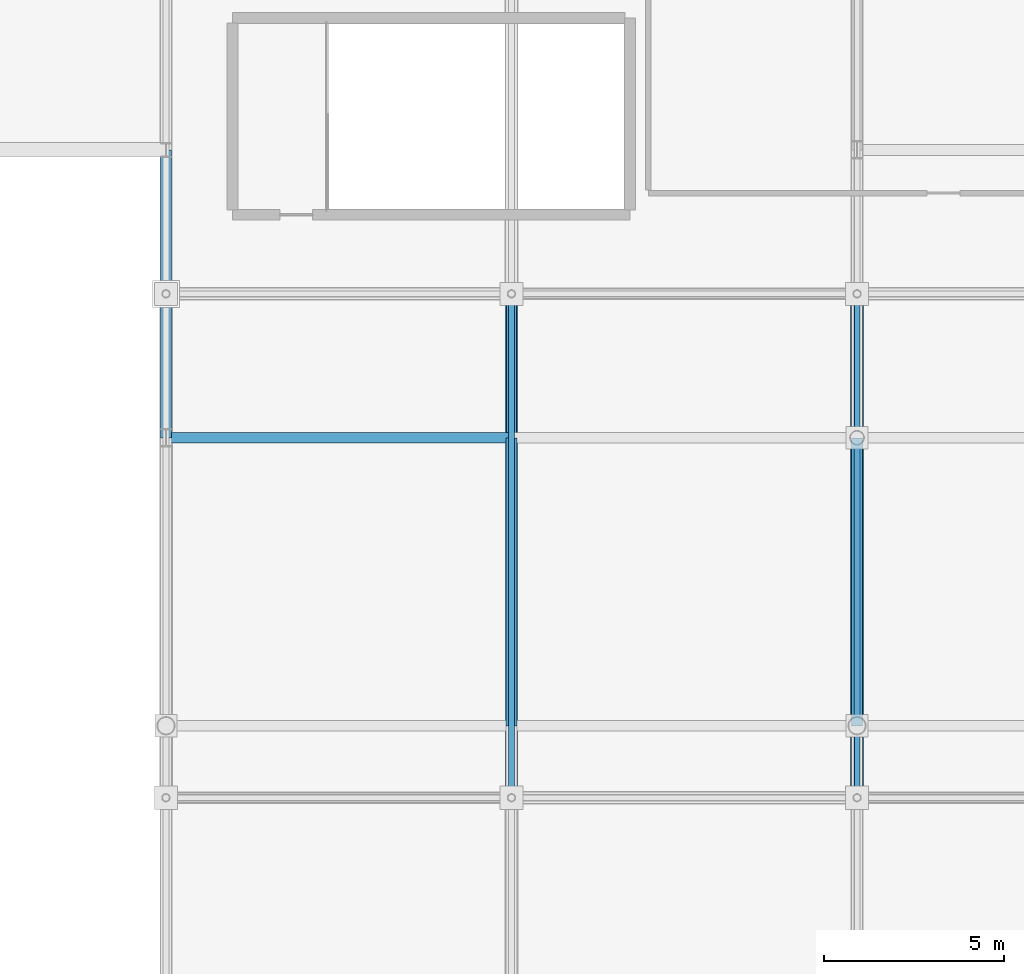
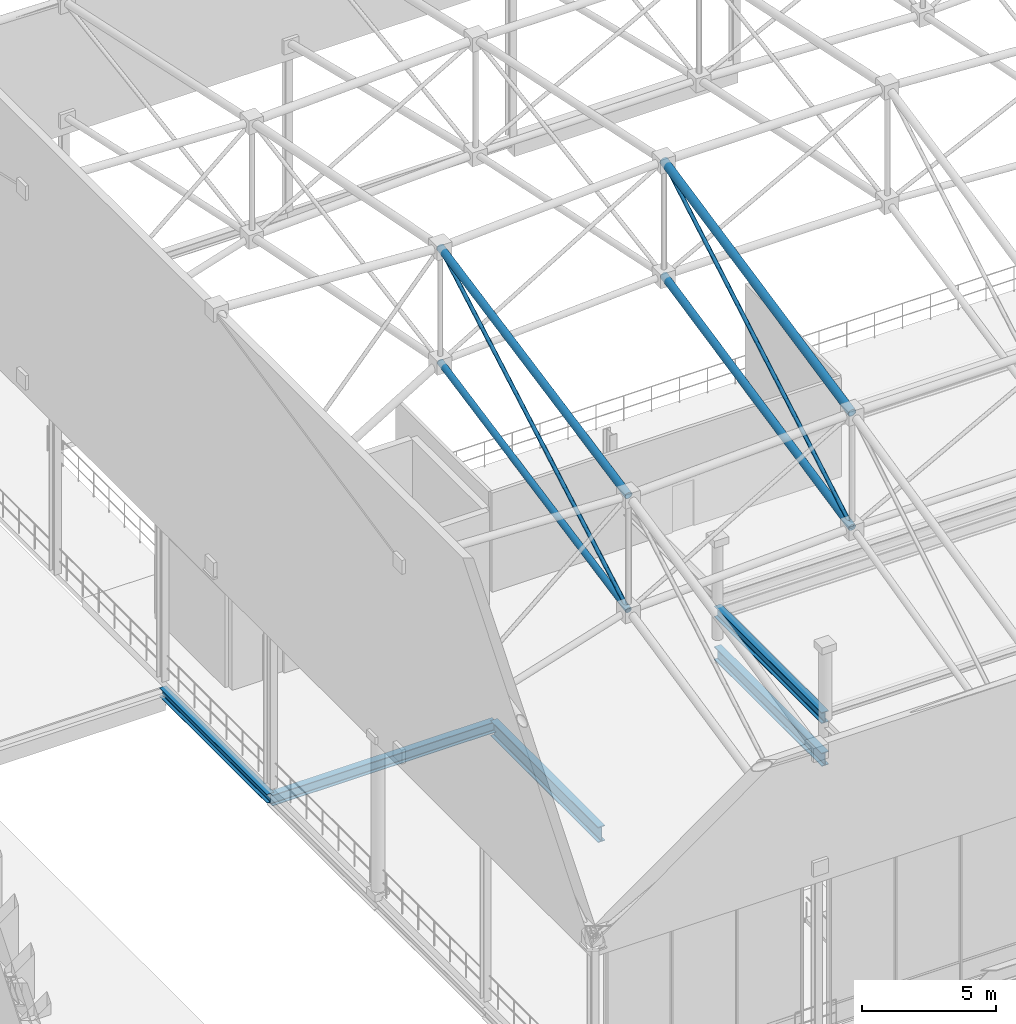
# One storey, part 102 of 193: 6 members, 5 beams.
"""IFC4 building model written with IfcOpenShell, lengths in metres."""

from ifc_helpers import new_model, si_unit, direction, frame, origin, origin_2d, place, context, subcontext, project, spatial, hollow_circle, i_section, extrude, material, material_profile, profile_set, type_object, element, save


model = new_model("IFC4")

# Units and contexts
model_context = context("Model", 3, precision=1e-05, world=origin(), true_north=direction((0.0, 1.0)))
body_context = subcontext(model_context, "Body", "Model", "MODEL_VIEW")
ifc_project = project(units=[si_unit("LENGTHUNIT", "METRE"), si_unit("AREAUNIT", "SQUARE_METRE"), si_unit("VOLUMEUNIT", "CUBIC_METRE"), si_unit("PLANEANGLEUNIT", "RADIAN"), si_unit("MASSUNIT", "GRAM", prefix="KILO")], contexts=[model_context])

# Site, building, storey
site_placement = place(None, origin())
site = spatial("IfcSite", under=ifc_project, at=site_placement, CompositionType="ELEMENT")
building_placement = place(site_placement, origin())
building = spatial("IfcBuilding", under=site, at=building_placement, Name="Danafjord Basin Convention Centre", CompositionType="ELEMENT")
storey_placement = place(building_placement, frame((0.0, 0.0, 11.39990234375)))
storey = spatial("IfcBuildingStorey", under=building, at=storey_placement, Name="L02", CompositionType="ELEMENT", Elevation=11.39990234375)

# Beams
ifc_material = material(Name="Steel S355", Category="steel")
ifc_material_profile_1 = material_profile(ifc_material, i_section(OverallWidth=0.300048828125, OverallDepth=0.489990234375, WebThickness=0.011962890625, FlangeThickness=0.02294921875, FilletRadius=0.027099609375, at=origin_2d()), Name="HEA 500")
ifc_profile_set_1 = profile_set([ifc_material_profile_1], Name="Steel S355")
beam_type_1 = type_object("IfcBeamType", Name="BEAM-BM-HEA500", PredefinedType="BEAM", material=ifc_profile_set_1)
beam_1_placement = place(storey_placement, frame((134.39990234375, 112.0, -0.60498046875), z_axis=(1.0, 0.0, 0.0), x_axis=(0.0, 1.0, 0.0)))
element("IfcBeam", 1, at=beam_1_placement, inside=storey, type_object=beam_type_1, Name="L02 girder BM-HEA500", PredefinedType="BEAM", context=body_context, shape_type="SweptSolid", body=[
    extrude(i_section(OverallWidth=0.300048828125, OverallDepth=0.489990234375, WebThickness=0.011962890625, FlangeThickness=0.02294921875, FilletRadius=0.027099609375, at=origin_2d()), origin(), (0.0, 0.0, 1.0), 9.60009765625),
])
ifc_material_profile_2 = material_profile(ifc_material, i_section(OverallWidth=0.300048828125, OverallDepth=0.5, WebThickness=0.014404296875, FlangeThickness=0.028076171875, FilletRadius=0.027099609375, at=origin_2d()), Name="HEB 500")
ifc_profile_set_2 = profile_set([ifc_material_profile_2], Name="Steel S355")
beam_type_2 = type_object("IfcBeamType", Name="BEAM-BM-HEB500", PredefinedType="BEAM", material=ifc_profile_set_2)
beam_2_placement = place(storey_placement, frame((153.60009765625, 104.0, 1.22998046875), z_axis=(0.0, 1.0, 0.0), x_axis=(-1.0, 0.0, 0.0)))
element("IfcBeam", 2, at=beam_2_placement, inside=storey, type_object=beam_type_2, Name="Balcony tier carrier girder", PredefinedType="BEAM", context=body_context, shape_type="SweptSolid", body=[
    extrude(i_section(OverallWidth=0.300048828125, OverallDepth=0.5, WebThickness=0.014404296875, FlangeThickness=0.028076171875, FilletRadius=0.027099609375, at=origin_2d()), origin(), (0.0, 0.0, 1.0), 8.0),
])
ifc_material_profile_3 = material_profile(ifc_material, i_section(OverallWidth=0.300048828125, OverallDepth=0.60009765625, WebThickness=0.015380859375, FlangeThickness=0.030029296875, FilletRadius=0.027099609375, at=origin_2d()), Name="HEB 600")
ifc_profile_set_3 = profile_set([ifc_material_profile_3], Name="Steel S355")
beam_type_3 = type_object("IfcBeamType", Name="BEAM-BM-HEB600", PredefinedType="BEAM", material=ifc_profile_set_3)
beam_3_placement = place(storey_placement, frame((153.60009765625, 104.0, -0.659912109375), z_axis=(0.0, 1.0, 0.0), x_axis=(-1.0, 0.0, 0.0)))
element("IfcBeam", 3, at=beam_3_placement, inside=storey, type_object=beam_type_3, Name="L02 transverse girder BM-HEB600", PredefinedType="BEAM", context=body_context, shape_type="SweptSolid", body=[
    extrude(i_section(OverallWidth=0.300048828125, OverallDepth=0.60009765625, WebThickness=0.015380859375, FlangeThickness=0.030029296875, FilletRadius=0.027099609375, at=origin_2d()), origin(), (0.0, 0.0, 1.0), 8.0),
])
ifc_material_profile_4 = material_profile(ifc_material, i_section(OverallWidth=0.300048828125, OverallDepth=0.699951171875, WebThickness=0.01708984375, FlangeThickness=0.031982421875, FilletRadius=0.027099609375, at=origin_2d()), Name="HEB 700")
ifc_profile_set_4 = profile_set([ifc_material_profile_4], Name="Steel S355")
beam_type_4 = type_object("IfcBeamType", Name="BEAM-BM-HEB700", PredefinedType="BEAM", material=ifc_profile_set_4)
beam_4_placement = place(storey_placement, frame((144.0, 104.0, -0.7099609375), z_axis=(0.0, 1.0, 0.0), x_axis=(-1.0, 0.0, 0.0)))
element("IfcBeam", 4, at=beam_4_placement, inside=storey, type_object=beam_type_4, Name="L02 transverse girder BM-HEB700", PredefinedType="BEAM", context=body_context, shape_type="SweptSolid", body=[
    extrude(i_section(OverallWidth=0.300048828125, OverallDepth=0.699951171875, WebThickness=0.01708984375, FlangeThickness=0.031982421875, FilletRadius=0.027099609375, at=origin_2d()), origin(), (0.0, 0.0, 1.0), 8.0),
])
ifc_material_profile_5 = material_profile(ifc_material, i_section(OverallWidth=0.300048828125, OverallDepth=0.39990234375, WebThickness=0.013427734375, FlangeThickness=0.02392578125, FilletRadius=0.027099609375, at=origin_2d()), Name="HEB 400")
ifc_profile_set_5 = profile_set([ifc_material_profile_5], Name="Steel S355")
beam_type_5 = type_object("IfcBeamType", Name="BEAM-SP-HEB400", PredefinedType="SPANDREL", material=ifc_profile_set_5)
beam_5_placement = place(storey_placement, frame((134.39990234375, 112.0, -0.559814453125), z_axis=(0.0, 1.0, 0.0), x_axis=(-1.0, 0.0, 0.0)))
element("IfcBeam", 5, at=beam_5_placement, inside=storey, type_object=beam_type_5, Name="L02 transverse girder SP-HEB400", PredefinedType="SPANDREL", context=body_context, shape_type="SweptSolid", body=[
    extrude(i_section(OverallWidth=0.300048828125, OverallDepth=0.39990234375, WebThickness=0.013427734375, FlangeThickness=0.02392578125, FilletRadius=0.027099609375, at=origin_2d()), origin(), (0.0, 0.0, 1.0), 8.0),
])

# Members
ifc_material_profile_6 = material_profile(ifc_material, hollow_circle(Radius=0.136474609375, WallThickness=0.012451171875, at=origin_2d()), Name="CHS 273.0x12.5")
ifc_profile_set_6 = profile_set([ifc_material_profile_6], Name="Steel S355")
member_type_1 = type_object("IfcMemberType", Name="MEM-CH-CHS273", PredefinedType="CHORD", material=ifc_profile_set_6)
member_1_placement = place(storey_placement, frame((144.0, 102.0, 10.666015625), z_axis=(0.0, 0.980793234721, 0.195050328696), x_axis=(-1.0, 0.0, 0.0)))
element("IfcMember", 6, at=member_1_placement, inside=storey, type_object=member_type_1, Name="V2 roof truss transverse bottom chord", PredefinedType="CHORD", context=body_context, shape_type="SweptSolid", body=[
    extrude(hollow_circle(Radius=0.136474609375, WallThickness=0.012451171875, at=origin_2d()), origin(), (0.0, 0.0, 1.0), 14.274169921875),
])
ifc_material_profile_7 = material_profile(ifc_material, hollow_circle(Radius=0.161865234375, WallThickness=0.01611328125, at=origin_2d()), Name="CHS 323.9x16.0")
ifc_profile_set_7 = profile_set([ifc_material_profile_7], Name="Steel S355")
member_type_2 = type_object("IfcMemberType", Name="MEM-CH-CHS324", PredefinedType="CHORD", material=ifc_profile_set_7)
member_2_placement = place(storey_placement, frame((144.0, 102.0, 15.8662109375), z_axis=(0.0, 0.980796506597, 0.19503387564), x_axis=(-1.0, 0.0, 0.0)))
element("IfcMember", 7, at=member_2_placement, inside=storey, type_object=member_type_2, Name="V2 roof truss transverse top chord", PredefinedType="CHORD", context=body_context, shape_type="SweptSolid", body=[
    extrude(hollow_circle(Radius=0.161865234375, WallThickness=0.01611328125, at=origin_2d()), origin(), (0.0, 0.0, 1.0), 14.274169921875),
])
member_3_placement = place(storey_placement, frame((153.60009765625, 102.0, 11.059814453125), z_axis=(0.0, 0.978472048473, 0.206379384526), x_axis=(-1.0, 0.0, 0.0)))
element("IfcMember", 8, at=member_3_placement, inside=storey, type_object=member_type_2, Name="V2 roof truss transverse bottom chord", PredefinedType="CHORD", context=body_context, shape_type="SweptSolid", body=[
    extrude(hollow_circle(Radius=0.161865234375, WallThickness=0.01611328125, at=origin_2d()), origin(), (0.0, 0.0, 1.0), 14.30810546875),
])
ifc_material_profile_8 = material_profile(ifc_material, hollow_circle(Radius=0.177734375, WallThickness=0.01611328125, at=origin_2d()), Name="CHS 355.6x16.0")
ifc_profile_set_8 = profile_set([ifc_material_profile_8], Name="Steel S355")
member_type_3 = type_object("IfcMemberType", Name="MEM-CH-CHS355", PredefinedType="CHORD", material=ifc_profile_set_8)
member_4_placement = place(storey_placement, frame((153.60009765625, 102.0, 16.260009765625), z_axis=(0.0, 0.97847549403, 0.206363048005), x_axis=(-1.0, 0.0, 0.0)))
element("IfcMember", 9, at=member_4_placement, inside=storey, type_object=member_type_3, Name="V2 roof truss transverse top chord", PredefinedType="CHORD", context=body_context, shape_type="SweptSolid", body=[
    extrude(hollow_circle(Radius=0.177734375, WallThickness=0.01611328125, at=origin_2d()), origin(), (0.0, 0.0, 1.0), 14.307861328125),
])
ifc_material_profile_9 = material_profile(ifc_material, hollow_circle(Radius=0.084228515625, WallThickness=0.008056640625, at=origin_2d()), Name="CHS 168.3x8.0")
ifc_profile_set_9 = profile_set([ifc_material_profile_9], Name="Steel S355")
member_type_4 = type_object("IfcMemberType", Name="MEM-WB-CHS168", PredefinedType="MEMBER", material=ifc_profile_set_9)
member_5_placement = place(storey_placement, frame((144.0, 102.0, 10.666015625), z_axis=(0.0, 0.868666978636, 0.495396487904), x_axis=(-1.0, 0.0, 0.0)))
element("IfcMember", 10, at=member_5_placement, inside=storey, type_object=member_type_4, Name="V2 space-frame transverse web", PredefinedType="MEMBER", context=body_context, shape_type="SweptSolid", body=[
    extrude(hollow_circle(Radius=0.084228515625, WallThickness=0.008056640625, at=origin_2d()), origin(), (0.0, 0.0, 1.0), 16.11669921875),
])
member_6_placement = place(storey_placement, frame((153.60009765625, 102.0, 11.059814453125), z_axis=(0.0, 0.864150330313, 0.503233749485), x_axis=(-1.0, 0.0, 0.0)))
element("IfcMember", 11, at=member_6_placement, inside=storey, type_object=member_type_4, Name="V2 space-frame transverse web", PredefinedType="MEMBER", context=body_context, shape_type="SweptSolid", body=[
    extrude(hollow_circle(Radius=0.084228515625, WallThickness=0.008056640625, at=origin_2d()), origin(), (0.0, 0.0, 1.0), 16.200927734375),
])

save(model, "model.ifc")
